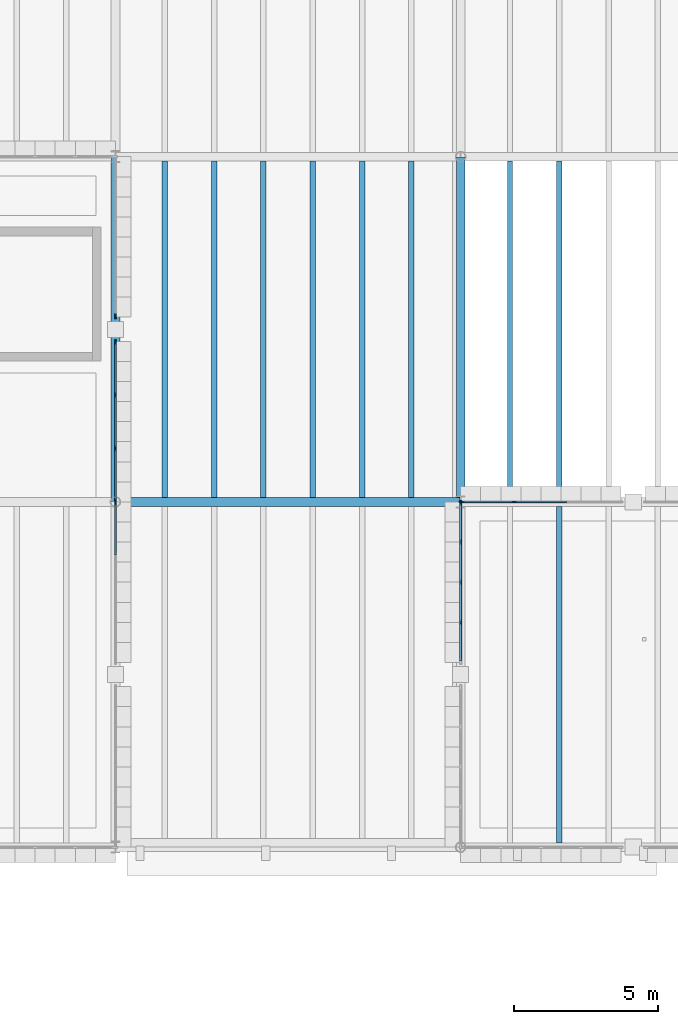
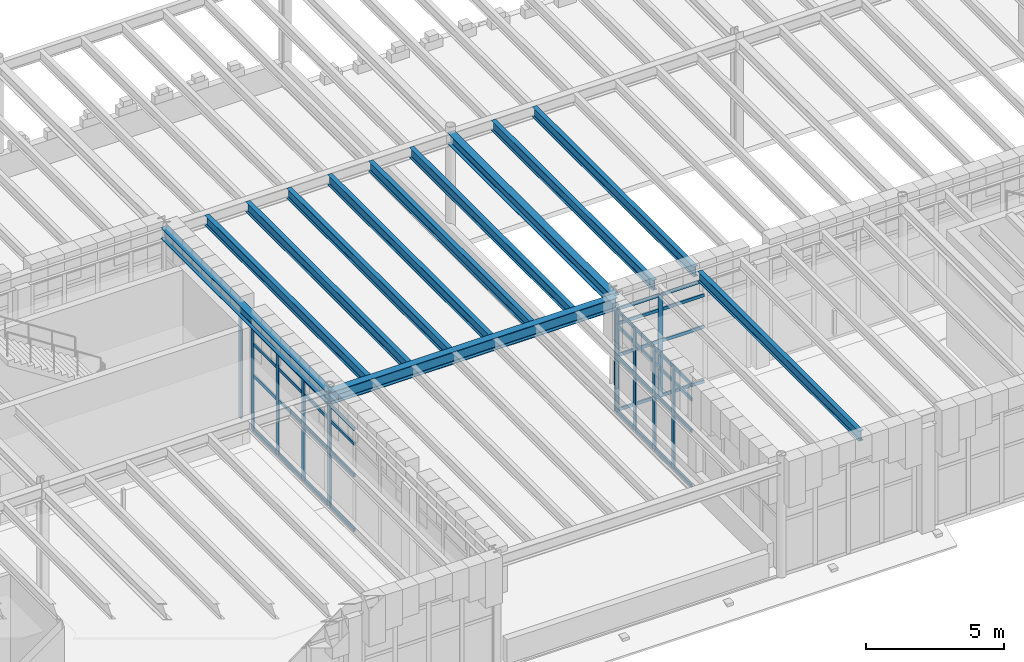
# One storey, part 23 of 100: 52 members, 12 beams, 5 elements without a shape of their own.
"""IFC4 building model written with IfcOpenShell, lengths in metres."""

from ifc_helpers import new_model, si_unit, direction, frame, origin, origin_2d, place, context, subcontext, project, spatial, rectangle, i_section, extrude, material, layer, layer_set, material_profile, profile_set, type_object, element, aggregate, save


model = new_model("IFC4")

# Units and contexts
model_context = context("Model", 3, precision=1e-05, world=origin(), true_north=direction((0.0, 1.0)))
body_context = subcontext(model_context, "Body", "Model", "MODEL_VIEW")
ifc_project = project(units=[si_unit("LENGTHUNIT", "METRE"), si_unit("AREAUNIT", "SQUARE_METRE"), si_unit("VOLUMEUNIT", "CUBIC_METRE"), si_unit("PLANEANGLEUNIT", "RADIAN"), si_unit("MASSUNIT", "GRAM", prefix="KILO")], contexts=[model_context])

# Site, building, storey
site_placement = place(None, origin())
site = spatial("IfcSite", under=ifc_project, at=site_placement, CompositionType="ELEMENT")
building_placement = place(site_placement, origin())
building = spatial("IfcBuilding", under=site, at=building_placement, Name="Zlatogorsky Bluff Art Gallery", CompositionType="ELEMENT")
storey_placement = place(building_placement, frame((0.0, 0.0, 5.39990234375)))
storey = spatial("IfcBuildingStorey", under=building, at=storey_placement, Name="L01", CompositionType="ELEMENT", Elevation=5.39990234375)

# Beams
ifc_material_1 = material(Name="Steel S355", Category="steel")
ifc_material_profile_1 = material_profile(ifc_material_1, i_section(OverallWidth=0.300048828125, OverallDepth=0.5400390625, WebThickness=0.012451171875, FlangeThickness=0.02392578125, FilletRadius=0.027099609375, at=origin_2d()), Name="HEA 550")
ifc_profile_set_1 = profile_set([ifc_material_profile_1], Name="Steel S355")
beam_type_1 = type_object("IfcBeamType", Name="Beam BM-06 HEA 550", PredefinedType="BEAM", material=ifc_profile_set_1)
beam_placement = place(storey_placement, frame((48.014892578125, 96.0, 4.840087890625), z_axis=(1.0, 0.0, 0.0), x_axis=(0.0, 1.0, 0.0)))
element("IfcBeam", 1, at=beam_placement, inside=storey, type_object=beam_type_1, Name="Primary girder BM-06 L01 E-F/10", PredefinedType="BEAM", context=body_context, shape_type="SweptSolid", body=[
    extrude(i_section(OverallWidth=0.300048828125, OverallDepth=0.5400390625, WebThickness=0.012451171875, FlangeThickness=0.02392578125, FilletRadius=0.027099609375, at=origin_2d()), origin(), (0.0, 0.0, 1.0), 11.97021484375),
])
ifc_material_profile_2 = material_profile(ifc_material_1, i_section(OverallWidth=0.300048828125, OverallDepth=0.489990234375, WebThickness=0.011962890625, FlangeThickness=0.02294921875, FilletRadius=0.027099609375, at=origin_2d()), Name="HEA 500")
ifc_profile_set_2 = profile_set([ifc_material_profile_2], Name="Steel S355")
beam_type_2 = type_object("IfcBeamType", Name="Beam BM-07 HEA 500", PredefinedType="BEAM", material=ifc_profile_set_2)
for number, where, z_axis, x_axis, name in (
    (2, (48.0, 96.014892578125, 4.864990234375), (0.0, 1.0, 0.0), (-1.0, 0.0, 0.0), "Primary girder BM-07 L01 E/10-11"),
    (3, (60.0, 96.014892578125, 4.864990234375), (0.0, 1.0, 0.0), (-1.0, 0.0, 0.0), "Primary girder BM-07 L01 F/10-11"),
):
    element("IfcBeam", number, at=place(storey_placement, frame(where, z_axis=z_axis, x_axis=x_axis)), inside=storey, type_object=beam_type_2, Name=name, PredefinedType="BEAM", context=body_context, shape_type="SweptSolid", body=[
        extrude(i_section(OverallWidth=0.300048828125, OverallDepth=0.489990234375, WebThickness=0.011962890625, FlangeThickness=0.02294921875, FilletRadius=0.027099609375, at=origin_2d()), origin(), (0.0, 0.0, 1.0), 11.97021484375),
    ])
ifc_material_profile_3 = material_profile(ifc_material_1, i_section(OverallWidth=0.18994140625, OverallDepth=0.449951171875, WebThickness=0.009521484375, FlangeThickness=0.0146484375, FilletRadius=0.02099609375, at=origin_2d()), Name="IPE 450")
ifc_profile_set_3 = profile_set([ifc_material_profile_3], Name="Steel S355")
beam_type_3 = type_object("IfcBeamType", Name="Beam JS-06 IPE 450", PredefinedType="JOIST", material=ifc_profile_set_3)
for number, where, z_axis, x_axis, name in (
    (4, (49.71435546875, 96.14990234375, 4.885009765625), (0.0, 1.0, 0.0), (-1.0, 0.0, 0.0), "Composite floor joist JS-06 L01 04.09.1"),
    (5, (51.428466796875, 96.14990234375, 4.885009765625), (0.0, 1.0, 0.0), (-1.0, 0.0, 0.0), "Composite floor joist JS-06 L01 04.09.2"),
    (6, (53.142822265625, 96.14990234375, 4.885009765625), (0.0, 1.0, 0.0), (-1.0, 0.0, 0.0), "Composite floor joist JS-06 L01 04.09.3"),
    (7, (54.857177734375, 96.14990234375, 4.885009765625), (0.0, 1.0, 0.0), (-1.0, 0.0, 0.0), "Composite floor joist JS-06 L01 04.09.4"),
    (8, (56.571533203125, 96.14990234375, 4.885009765625), (0.0, 1.0, 0.0), (-1.0, 0.0, 0.0), "Composite floor joist JS-06 L01 04.09.5"),
    (9, (58.28564453125, 96.14990234375, 4.885009765625), (0.0, 1.0, 0.0), (-1.0, 0.0, 0.0), "Composite floor joist JS-06 L01 04.09.6"),
    (10, (63.428466796875, 84.14990234375, 4.885009765625), (0.0, 1.0, 0.0), (-1.0, 0.0, 0.0), "Composite floor joist JS-06 L01 05.08.2"),
    (11, (61.71435546875, 96.14990234375, 4.885009765625), (0.0, 1.0, 0.0), (-1.0, 0.0, 0.0), "Composite floor joist JS-06 L01 05.09.1"),
    (12, (63.428466796875, 96.14990234375, 4.885009765625), (0.0, 1.0, 0.0), (-1.0, 0.0, 0.0), "Composite floor joist JS-06 L01 05.09.2"),
):
    element("IfcBeam", number, at=place(storey_placement, frame(where, z_axis=z_axis, x_axis=x_axis)), inside=storey, type_object=beam_type_3, Name=name, PredefinedType="JOIST", context=body_context, shape_type="SweptSolid", body=[
        extrude(i_section(OverallWidth=0.18994140625, OverallDepth=0.449951171875, WebThickness=0.009521484375, FlangeThickness=0.0146484375, FilletRadius=0.02099609375, at=origin_2d()), origin(), (0.0, 0.0, 1.0), 11.7001953125),
    ])

# Curtain wall, member
ifc_material_2 = material(Name="Anodised Bronze Aluminium and Low-Iron Triple Glazing", Category="aluminium")
ifc_layer_1 = layer(ifc_material_2, 0.219970703125)
ifc_layer_set_1 = layer_set([ifc_layer_1], Name="Curtain Wall CW-04")
curtain_wall_type_1 = type_object("IfcCurtainWallType", Name="Curtain Wall CW-04", PredefinedType="USERDEFINED", material=ifc_layer_set_1)
curtain_wall_1_placement = place(storey_placement, origin())
curtain_wall_1 = element("IfcCurtainWall", 13, at=curtain_wall_1_placement, inside=storey, type_object=curtain_wall_type_1, Name="Unitised curtain wall CW-04 L01 E 3.8-B", ObjectType="CURTAIN WALL", PredefinedType="USERDEFINED")
ifc_material_3 = material(Name="Anodised Bronze Aluminium", Category="aluminium")
ifc_material_profile_4 = material_profile(ifc_material_3, rectangle(XDim=0.06494140625, YDim=0.179931640625, at=origin_2d()), Name="ALU MULLION 65x180")
ifc_profile_set_4 = profile_set([ifc_material_profile_4], Name="Anodised Bronze Aluminium")
member_type_1 = type_object("IfcMemberType", Name="Curtain Mullion ML-01", PredefinedType="MULLION", material=ifc_profile_set_4)
member_1_placement = place(storey_placement, frame((48.0, 95.967529296875, 0.0), z_axis=(0.0, 0.0, 1.0), x_axis=(-1.0, 0.0, 0.0)))
member_1 = element("IfcMember", 14, at=member_1_placement, type_object=member_type_1, Name="CW-04 mullion 4", PredefinedType="MULLION", context=body_context, shape_type="SweptSolid", body=[
    extrude(rectangle(XDim=0.06494140625, YDim=0.179931640625, at=origin_2d()), origin(), (0.0, 0.0, 1.0), 4.530029296875),
])

# Curtain wall, members
curtain_wall_2_placement = place(storey_placement, origin())
curtain_wall_2 = element("IfcCurtainWall", 15, at=curtain_wall_2_placement, inside=storey, type_object=curtain_wall_type_1, Name="Unitised curtain wall CW-04 L01 E 3.9-A", ObjectType="CURTAIN WALL", PredefinedType="USERDEFINED")
member_2_placement = place(storey_placement, frame((48.0, 96.032470703125, 0.0), z_axis=(0.0, 0.0, 1.0), x_axis=(-1.0, 0.0, 0.0)))
member_2 = element("IfcMember", 16, at=member_2_placement, type_object=member_type_1, Name="CW-04 mullion 1", PredefinedType="MULLION", context=body_context, shape_type="SweptSolid", body=[
    extrude(rectangle(XDim=0.06494140625, YDim=0.179931640625, at=origin_2d()), origin(), (0.0, 0.0, 1.0), 4.530029296875),
])
member_3_placement = place(storey_placement, frame((48.0, 97.860107421875, 0.0), z_axis=(0.0, 0.0, 1.0), x_axis=(-1.0, 0.0, 0.0)))
member_3 = element("IfcMember", 17, at=member_3_placement, type_object=member_type_1, Name="CW-04 mullion 2", PredefinedType="MULLION", context=body_context, shape_type="SweptSolid", body=[
    extrude(rectangle(XDim=0.06494140625, YDim=0.179931640625, at=origin_2d()), origin(), (0.0, 0.0, 1.0), 4.530029296875),
])
member_4_placement = place(storey_placement, frame((48.0, 99.719970703125, 0.0), z_axis=(0.0, 0.0, 1.0), x_axis=(-1.0, 0.0, 0.0)))
member_4 = element("IfcMember", 18, at=member_4_placement, type_object=member_type_1, Name="CW-04 mullion 3", PredefinedType="MULLION", context=body_context, shape_type="SweptSolid", body=[
    extrude(rectangle(XDim=0.06494140625, YDim=0.179931640625, at=origin_2d()), origin(), (0.0, 0.0, 1.0), 4.530029296875),
])
member_5_placement = place(storey_placement, frame((48.0, 101.547607421875, 0.0), z_axis=(0.0, 0.0, 1.0), x_axis=(-1.0, 0.0, 0.0)))
member_5 = element("IfcMember", 19, at=member_5_placement, type_object=member_type_1, Name="CW-04 mullion 4", PredefinedType="MULLION", context=body_context, shape_type="SweptSolid", body=[
    extrude(rectangle(XDim=0.06494140625, YDim=0.179931640625, at=origin_2d()), origin(), (0.0, 0.0, 1.0), 4.530029296875),
])

# Curtain wall, member
curtain_wall_3_placement = place(storey_placement, origin())
curtain_wall_3 = element("IfcCurtainWall", 20, at=curtain_wall_3_placement, inside=storey, type_object=curtain_wall_type_1, Name="Unitised curtain wall CW-04 L01 E 3.9-B", ObjectType="CURTAIN WALL", PredefinedType="USERDEFINED")
member_6_placement = place(storey_placement, frame((48.0, 102.452392578125, 0.0), z_axis=(0.0, 0.0, 1.0), x_axis=(-1.0, 0.0, 0.0)))
member_6 = element("IfcMember", 21, at=member_6_placement, type_object=member_type_1, Name="CW-04 mullion 1", PredefinedType="MULLION", context=body_context, shape_type="SweptSolid", body=[
    extrude(rectangle(XDim=0.06494140625, YDim=0.179931640625, at=origin_2d()), origin(), (0.0, 0.0, 1.0), 4.530029296875),
])
aggregate(curtain_wall_3, [member_6])

# Curtain wall, members
curtain_wall_4_placement = place(storey_placement, origin())
curtain_wall_4 = element("IfcCurtainWall", 22, at=curtain_wall_4_placement, inside=storey, type_object=curtain_wall_type_1, Name="Unitised curtain wall CW-04 L01 N 5.8-B", ObjectType="CURTAIN WALL", PredefinedType="USERDEFINED")
member_7_placement = place(storey_placement, frame((61.860107421875, 96.0, 0.0), z_axis=(0.0, 0.0, 1.0), x_axis=(0.0, -1.0, 0.0)))
member_7 = element("IfcMember", 23, at=member_7_placement, type_object=member_type_1, Name="CW-04 mullion 3", PredefinedType="MULLION", context=body_context, shape_type="SweptSolid", body=[
    extrude(rectangle(XDim=0.06494140625, YDim=0.179931640625, at=origin_2d()), origin(), (0.0, 0.0, 1.0), 4.530029296875),
])
member_8_placement = place(storey_placement, frame((60.032470703125, 96.0, 0.0), z_axis=(0.0, 0.0, 1.0), x_axis=(0.0, -1.0, 0.0)))
member_8 = element("IfcMember", 24, at=member_8_placement, type_object=member_type_1, Name="CW-04 mullion 4", PredefinedType="MULLION", context=body_context, shape_type="SweptSolid", body=[
    extrude(rectangle(XDim=0.06494140625, YDim=0.179931640625, at=origin_2d()), origin(), (0.0, 0.0, 1.0), 4.530029296875),
])

ifc_layer_2 = layer(ifc_material_2, 0.199951171875)
ifc_layer_set_2 = layer_set([ifc_layer_2], Name="Curtain Wall CW-02")
curtain_wall_type_2 = type_object("IfcCurtainWallType", Name="Curtain Wall CW-02", PredefinedType="USERDEFINED", material=ifc_layer_set_2)
curtain_wall_5_placement = place(storey_placement, origin())
curtain_wall_5 = element("IfcCurtainWall", 25, at=curtain_wall_5_placement, inside=storey, type_object=curtain_wall_type_2, Name="Unitised curtain wall CW-02 L01 W 5.8-A", ObjectType="CURTAIN WALL", PredefinedType="USERDEFINED")
member_9_placement = place(storey_placement, frame((60.0, 95.967529296875, 0.0), z_axis=(0.0, 0.0, 1.0), x_axis=(1.0, 0.0, 0.0)))
member_9 = element("IfcMember", 26, at=member_9_placement, type_object=member_type_1, Name="CW-02 mullion 1", PredefinedType="MULLION", context=body_context, shape_type="SweptSolid", body=[
    extrude(rectangle(XDim=0.06494140625, YDim=0.179931640625, at=origin_2d()), origin(), (0.0, 0.0, 1.0), 4.530029296875),
])
member_10_placement = place(storey_placement, frame((60.0, 94.60498046875, 0.0), z_axis=(0.0, 0.0, 1.0), x_axis=(1.0, 0.0, 0.0)))
member_10 = element("IfcMember", 27, at=member_10_placement, type_object=member_type_1, Name="CW-02 mullion 2", PredefinedType="MULLION", context=body_context, shape_type="SweptSolid", body=[
    extrude(rectangle(XDim=0.06494140625, YDim=0.179931640625, at=origin_2d()), origin(), (0.0, 0.0, 1.0), 4.530029296875),
])
member_11_placement = place(storey_placement, frame((60.0, 93.2099609375, 0.0), z_axis=(0.0, 0.0, 1.0), x_axis=(1.0, 0.0, 0.0)))
member_11 = element("IfcMember", 28, at=member_11_placement, type_object=member_type_1, Name="CW-02 mullion 3", PredefinedType="MULLION", context=body_context, shape_type="SweptSolid", body=[
    extrude(rectangle(XDim=0.06494140625, YDim=0.179931640625, at=origin_2d()), origin(), (0.0, 0.0, 1.0), 4.530029296875),
])
member_12_placement = place(storey_placement, frame((60.0, 91.81494140625, 0.0), z_axis=(0.0, 0.0, 1.0), x_axis=(1.0, 0.0, 0.0)))
member_12 = element("IfcMember", 29, at=member_12_placement, type_object=member_type_1, Name="CW-02 mullion 4", PredefinedType="MULLION", context=body_context, shape_type="SweptSolid", body=[
    extrude(rectangle(XDim=0.06494140625, YDim=0.179931640625, at=origin_2d()), origin(), (0.0, 0.0, 1.0), 4.530029296875),
])

# Member
ifc_material_profile_5 = material_profile(ifc_material_3, rectangle(XDim=0.06494140625, YDim=0.139892578125, at=origin_2d()), Name="ALU TRANSOM 65x140")
ifc_profile_set_5 = profile_set([ifc_material_profile_5], Name="Anodised Bronze Aluminium")
member_type_2 = type_object("IfcMemberType", Name="Curtain Transom TR-01", PredefinedType="USERDEFINED", material=ifc_profile_set_5)
member_13_placement = place(storey_placement, frame((48.0, 94.172607421875, 0.03271484375), z_axis=(0.0, 1.0, 0.0), x_axis=(-1.0, 0.0, 0.0)))
member_13 = element("IfcMember", 30, at=member_13_placement, type_object=member_type_2, Name="CW-04 transom 3.1", ObjectType="TRANSOM", PredefinedType="USERDEFINED", context=body_context, shape_type="SweptSolid", body=[
    extrude(rectangle(XDim=0.06494140625, YDim=0.139892578125, at=origin_2d()), origin(), (0.0, 0.0, 1.0), 1.762451171875),
])

member_14_placement = place(storey_placement, frame((48.0, 94.172607421875, 2.4501953125), z_axis=(0.0, 1.0, 0.0), x_axis=(-1.0, 0.0, 0.0)))
member_14 = element("IfcMember", 31, at=member_14_placement, type_object=member_type_2, Name="CW-04 transom 3.2", ObjectType="TRANSOM", PredefinedType="USERDEFINED", context=body_context, shape_type="SweptSolid", body=[
    extrude(rectangle(XDim=0.06494140625, YDim=0.139892578125, at=origin_2d()), origin(), (0.0, 0.0, 1.0), 1.762451171875),
])

member_15_placement = place(storey_placement, frame((48.0, 94.172607421875, 3.85009765625), z_axis=(0.0, 1.0, 0.0), x_axis=(-1.0, 0.0, 0.0)))
member_15 = element("IfcMember", 32, at=member_15_placement, type_object=member_type_2, Name="CW-04 transom 3.3", ObjectType="TRANSOM", PredefinedType="USERDEFINED", context=body_context, shape_type="SweptSolid", body=[
    extrude(rectangle(XDim=0.06494140625, YDim=0.139892578125, at=origin_2d()), origin(), (0.0, 0.0, 1.0), 1.762451171875),
])

member_16_placement = place(storey_placement, frame((48.0, 94.172607421875, 4.49755859375), z_axis=(0.0, 1.0, 0.0), x_axis=(-1.0, 0.0, 0.0)))
member_16 = element("IfcMember", 33, at=member_16_placement, type_object=member_type_2, Name="CW-04 transom 3.4", ObjectType="TRANSOM", PredefinedType="USERDEFINED", context=body_context, shape_type="SweptSolid", body=[
    extrude(rectangle(XDim=0.06494140625, YDim=0.139892578125, at=origin_2d()), origin(), (0.0, 0.0, 1.0), 1.762451171875),
])

aggregate(curtain_wall_1, [member_1, member_13, member_14, member_15, member_16])

member_17_placement = place(storey_placement, frame((48.0, 96.06494140625, 0.03271484375), z_axis=(0.0, 1.0, 0.0), x_axis=(-1.0, 0.0, 0.0)))
member_17 = element("IfcMember", 34, at=member_17_placement, type_object=member_type_2, Name="CW-04 transom 1.1", ObjectType="TRANSOM", PredefinedType="USERDEFINED", context=body_context, shape_type="SweptSolid", body=[
    extrude(rectangle(XDim=0.06494140625, YDim=0.139892578125, at=origin_2d()), origin(), (0.0, 0.0, 1.0), 1.762451171875),
])

member_18_placement = place(storey_placement, frame((48.0, 96.06494140625, 2.4501953125), z_axis=(0.0, 1.0, 0.0), x_axis=(-1.0, 0.0, 0.0)))
member_18 = element("IfcMember", 35, at=member_18_placement, type_object=member_type_2, Name="CW-04 transom 1.2", ObjectType="TRANSOM", PredefinedType="USERDEFINED", context=body_context, shape_type="SweptSolid", body=[
    extrude(rectangle(XDim=0.06494140625, YDim=0.139892578125, at=origin_2d()), origin(), (0.0, 0.0, 1.0), 1.762451171875),
])

member_19_placement = place(storey_placement, frame((48.0, 96.06494140625, 3.85009765625), z_axis=(0.0, 1.0, 0.0), x_axis=(-1.0, 0.0, 0.0)))
member_19 = element("IfcMember", 36, at=member_19_placement, type_object=member_type_2, Name="CW-04 transom 1.3", ObjectType="TRANSOM", PredefinedType="USERDEFINED", context=body_context, shape_type="SweptSolid", body=[
    extrude(rectangle(XDim=0.06494140625, YDim=0.139892578125, at=origin_2d()), origin(), (0.0, 0.0, 1.0), 1.762451171875),
])

member_20_placement = place(storey_placement, frame((48.0, 96.06494140625, 4.49755859375), z_axis=(0.0, 1.0, 0.0), x_axis=(-1.0, 0.0, 0.0)))
member_20 = element("IfcMember", 37, at=member_20_placement, type_object=member_type_2, Name="CW-04 transom 1.4", ObjectType="TRANSOM", PredefinedType="USERDEFINED", context=body_context, shape_type="SweptSolid", body=[
    extrude(rectangle(XDim=0.06494140625, YDim=0.139892578125, at=origin_2d()), origin(), (0.0, 0.0, 1.0), 1.762451171875),
])

member_21_placement = place(storey_placement, frame((48.0, 97.892578125, 0.03271484375), z_axis=(0.0, 1.0, 0.0), x_axis=(-1.0, 0.0, 0.0)))
member_21 = element("IfcMember", 38, at=member_21_placement, type_object=member_type_2, Name="CW-04 transom 2.1", ObjectType="TRANSOM", PredefinedType="USERDEFINED", context=body_context, shape_type="SweptSolid", body=[
    extrude(rectangle(XDim=0.06494140625, YDim=0.139892578125, at=origin_2d()), origin(), (0.0, 0.0, 1.0), 1.794921875),
])

member_22_placement = place(storey_placement, frame((48.0, 97.892578125, 2.4501953125), z_axis=(0.0, 1.0, 0.0), x_axis=(-1.0, 0.0, 0.0)))
member_22 = element("IfcMember", 39, at=member_22_placement, type_object=member_type_2, Name="CW-04 transom 2.2", ObjectType="TRANSOM", PredefinedType="USERDEFINED", context=body_context, shape_type="SweptSolid", body=[
    extrude(rectangle(XDim=0.06494140625, YDim=0.139892578125, at=origin_2d()), origin(), (0.0, 0.0, 1.0), 1.794921875),
])

member_23_placement = place(storey_placement, frame((48.0, 97.892578125, 3.85009765625), z_axis=(0.0, 1.0, 0.0), x_axis=(-1.0, 0.0, 0.0)))
member_23 = element("IfcMember", 40, at=member_23_placement, type_object=member_type_2, Name="CW-04 transom 2.3", ObjectType="TRANSOM", PredefinedType="USERDEFINED", context=body_context, shape_type="SweptSolid", body=[
    extrude(rectangle(XDim=0.06494140625, YDim=0.139892578125, at=origin_2d()), origin(), (0.0, 0.0, 1.0), 1.794921875),
])

member_24_placement = place(storey_placement, frame((48.0, 97.892578125, 4.49755859375), z_axis=(0.0, 1.0, 0.0), x_axis=(-1.0, 0.0, 0.0)))
member_24 = element("IfcMember", 41, at=member_24_placement, type_object=member_type_2, Name="CW-04 transom 2.4", ObjectType="TRANSOM", PredefinedType="USERDEFINED", context=body_context, shape_type="SweptSolid", body=[
    extrude(rectangle(XDim=0.06494140625, YDim=0.139892578125, at=origin_2d()), origin(), (0.0, 0.0, 1.0), 1.794921875),
])

member_25_placement = place(storey_placement, frame((48.0, 99.75244140625, 0.03271484375), z_axis=(0.0, 1.0, 0.0), x_axis=(-1.0, 0.0, 0.0)))
member_25 = element("IfcMember", 42, at=member_25_placement, type_object=member_type_2, Name="CW-04 transom 3.1", ObjectType="TRANSOM", PredefinedType="USERDEFINED", context=body_context, shape_type="SweptSolid", body=[
    extrude(rectangle(XDim=0.06494140625, YDim=0.139892578125, at=origin_2d()), origin(), (0.0, 0.0, 1.0), 1.762451171875),
])

member_26_placement = place(storey_placement, frame((48.0, 99.75244140625, 2.4501953125), z_axis=(0.0, 1.0, 0.0), x_axis=(-1.0, 0.0, 0.0)))
member_26 = element("IfcMember", 43, at=member_26_placement, type_object=member_type_2, Name="CW-04 transom 3.2", ObjectType="TRANSOM", PredefinedType="USERDEFINED", context=body_context, shape_type="SweptSolid", body=[
    extrude(rectangle(XDim=0.06494140625, YDim=0.139892578125, at=origin_2d()), origin(), (0.0, 0.0, 1.0), 1.762451171875),
])

member_27_placement = place(storey_placement, frame((48.0, 99.75244140625, 3.85009765625), z_axis=(0.0, 1.0, 0.0), x_axis=(-1.0, 0.0, 0.0)))
member_27 = element("IfcMember", 44, at=member_27_placement, type_object=member_type_2, Name="CW-04 transom 3.3", ObjectType="TRANSOM", PredefinedType="USERDEFINED", context=body_context, shape_type="SweptSolid", body=[
    extrude(rectangle(XDim=0.06494140625, YDim=0.139892578125, at=origin_2d()), origin(), (0.0, 0.0, 1.0), 1.762451171875),
])

member_28_placement = place(storey_placement, frame((48.0, 99.75244140625, 4.49755859375), z_axis=(0.0, 1.0, 0.0), x_axis=(-1.0, 0.0, 0.0)))
member_28 = element("IfcMember", 45, at=member_28_placement, type_object=member_type_2, Name="CW-04 transom 3.4", ObjectType="TRANSOM", PredefinedType="USERDEFINED", context=body_context, shape_type="SweptSolid", body=[
    extrude(rectangle(XDim=0.06494140625, YDim=0.139892578125, at=origin_2d()), origin(), (0.0, 0.0, 1.0), 1.762451171875),
])

aggregate(curtain_wall_2, [member_2, member_3, member_4, member_5, member_17, member_18, member_19, member_20, member_21, member_22, member_23, member_24, member_25, member_26, member_27, member_28])

member_29_placement = place(storey_placement, frame((63.6875, 96.0, 0.03271484375), z_axis=(-1.0, 0.0, 0.0), x_axis=(0.0, -1.0, 0.0)))
member_29 = element("IfcMember", 46, at=member_29_placement, type_object=member_type_2, Name="CW-04 transom 2.1", ObjectType="TRANSOM", PredefinedType="USERDEFINED", context=body_context, shape_type="SweptSolid", body=[
    extrude(rectangle(XDim=0.06494140625, YDim=0.139892578125, at=origin_2d()), origin(), (0.0, 0.0, 1.0), 1.794921875),
])

member_30_placement = place(storey_placement, frame((63.6875, 96.0, 2.4501953125), z_axis=(-1.0, 0.0, 0.0), x_axis=(0.0, -1.0, 0.0)))
member_30 = element("IfcMember", 47, at=member_30_placement, type_object=member_type_2, Name="CW-04 transom 2.2", ObjectType="TRANSOM", PredefinedType="USERDEFINED", context=body_context, shape_type="SweptSolid", body=[
    extrude(rectangle(XDim=0.06494140625, YDim=0.139892578125, at=origin_2d()), origin(), (0.0, 0.0, 1.0), 1.794921875),
])

member_31_placement = place(storey_placement, frame((63.6875, 96.0, 3.85009765625), z_axis=(-1.0, 0.0, 0.0), x_axis=(0.0, -1.0, 0.0)))
member_31 = element("IfcMember", 48, at=member_31_placement, type_object=member_type_2, Name="CW-04 transom 2.3", ObjectType="TRANSOM", PredefinedType="USERDEFINED", context=body_context, shape_type="SweptSolid", body=[
    extrude(rectangle(XDim=0.06494140625, YDim=0.139892578125, at=origin_2d()), origin(), (0.0, 0.0, 1.0), 1.794921875),
])

member_32_placement = place(storey_placement, frame((63.6875, 96.0, 4.49755859375), z_axis=(-1.0, 0.0, 0.0), x_axis=(0.0, -1.0, 0.0)))
member_32 = element("IfcMember", 49, at=member_32_placement, type_object=member_type_2, Name="CW-04 transom 2.4", ObjectType="TRANSOM", PredefinedType="USERDEFINED", context=body_context, shape_type="SweptSolid", body=[
    extrude(rectangle(XDim=0.06494140625, YDim=0.139892578125, at=origin_2d()), origin(), (0.0, 0.0, 1.0), 1.794921875),
])

member_33_placement = place(storey_placement, frame((61.827392578125, 96.0, 0.03271484375), z_axis=(-1.0, 0.0, 0.0), x_axis=(0.0, -1.0, 0.0)))
member_33 = element("IfcMember", 50, at=member_33_placement, type_object=member_type_2, Name="CW-04 transom 3.1", ObjectType="TRANSOM", PredefinedType="USERDEFINED", context=body_context, shape_type="SweptSolid", body=[
    extrude(rectangle(XDim=0.06494140625, YDim=0.139892578125, at=origin_2d()), origin(), (0.0, 0.0, 1.0), 1.762451171875),
])

member_34_placement = place(storey_placement, frame((61.827392578125, 96.0, 2.4501953125), z_axis=(-1.0, 0.0, 0.0), x_axis=(0.0, -1.0, 0.0)))
member_34 = element("IfcMember", 51, at=member_34_placement, type_object=member_type_2, Name="CW-04 transom 3.2", ObjectType="TRANSOM", PredefinedType="USERDEFINED", context=body_context, shape_type="SweptSolid", body=[
    extrude(rectangle(XDim=0.06494140625, YDim=0.139892578125, at=origin_2d()), origin(), (0.0, 0.0, 1.0), 1.762451171875),
])

member_35_placement = place(storey_placement, frame((61.827392578125, 96.0, 3.85009765625), z_axis=(-1.0, 0.0, 0.0), x_axis=(0.0, -1.0, 0.0)))
member_35 = element("IfcMember", 52, at=member_35_placement, type_object=member_type_2, Name="CW-04 transom 3.3", ObjectType="TRANSOM", PredefinedType="USERDEFINED", context=body_context, shape_type="SweptSolid", body=[
    extrude(rectangle(XDim=0.06494140625, YDim=0.139892578125, at=origin_2d()), origin(), (0.0, 0.0, 1.0), 1.762451171875),
])

member_36_placement = place(storey_placement, frame((61.827392578125, 96.0, 4.49755859375), z_axis=(-1.0, 0.0, 0.0), x_axis=(0.0, -1.0, 0.0)))
member_36 = element("IfcMember", 53, at=member_36_placement, type_object=member_type_2, Name="CW-04 transom 3.4", ObjectType="TRANSOM", PredefinedType="USERDEFINED", context=body_context, shape_type="SweptSolid", body=[
    extrude(rectangle(XDim=0.06494140625, YDim=0.139892578125, at=origin_2d()), origin(), (0.0, 0.0, 1.0), 1.762451171875),
])

aggregate(curtain_wall_4, [member_7, member_8, member_29, member_30, member_31, member_32, member_33, member_34, member_35, member_36])

member_37_placement = place(storey_placement, frame((60.0, 95.93505859375, 0.03271484375), z_axis=(0.0, -1.0, 0.0), x_axis=(1.0, 0.0, 0.0)))
member_37 = element("IfcMember", 54, at=member_37_placement, type_object=member_type_2, Name="CW-02 transom 1.1", ObjectType="TRANSOM", PredefinedType="USERDEFINED", context=body_context, shape_type="SweptSolid", body=[
    extrude(rectangle(XDim=0.06494140625, YDim=0.139892578125, at=origin_2d()), origin(), (0.0, 0.0, 1.0), 1.297607421875),
])

member_38_placement = place(storey_placement, frame((60.0, 95.93505859375, 2.4501953125), z_axis=(0.0, -1.0, 0.0), x_axis=(1.0, 0.0, 0.0)))
member_38 = element("IfcMember", 55, at=member_38_placement, type_object=member_type_2, Name="CW-02 transom 1.2", ObjectType="TRANSOM", PredefinedType="USERDEFINED", context=body_context, shape_type="SweptSolid", body=[
    extrude(rectangle(XDim=0.06494140625, YDim=0.139892578125, at=origin_2d()), origin(), (0.0, 0.0, 1.0), 1.297607421875),
])

member_39_placement = place(storey_placement, frame((60.0, 95.93505859375, 3.85009765625), z_axis=(0.0, -1.0, 0.0), x_axis=(1.0, 0.0, 0.0)))
member_39 = element("IfcMember", 56, at=member_39_placement, type_object=member_type_2, Name="CW-02 transom 1.3", ObjectType="TRANSOM", PredefinedType="USERDEFINED", context=body_context, shape_type="SweptSolid", body=[
    extrude(rectangle(XDim=0.06494140625, YDim=0.139892578125, at=origin_2d()), origin(), (0.0, 0.0, 1.0), 1.297607421875),
])

member_40_placement = place(storey_placement, frame((60.0, 95.93505859375, 4.49755859375), z_axis=(0.0, -1.0, 0.0), x_axis=(1.0, 0.0, 0.0)))
member_40 = element("IfcMember", 57, at=member_40_placement, type_object=member_type_2, Name="CW-02 transom 1.4", ObjectType="TRANSOM", PredefinedType="USERDEFINED", context=body_context, shape_type="SweptSolid", body=[
    extrude(rectangle(XDim=0.06494140625, YDim=0.139892578125, at=origin_2d()), origin(), (0.0, 0.0, 1.0), 1.297607421875),
])

member_41_placement = place(storey_placement, frame((60.0, 94.572509765625, 0.03271484375), z_axis=(0.0, -1.0, 0.0), x_axis=(1.0, 0.0, 0.0)))
member_41 = element("IfcMember", 58, at=member_41_placement, type_object=member_type_2, Name="CW-02 transom 2.1", ObjectType="TRANSOM", PredefinedType="USERDEFINED", context=body_context, shape_type="SweptSolid", body=[
    extrude(rectangle(XDim=0.06494140625, YDim=0.139892578125, at=origin_2d()), origin(), (0.0, 0.0, 1.0), 1.330078125),
])

member_42_placement = place(storey_placement, frame((60.0, 94.572509765625, 2.4501953125), z_axis=(0.0, -1.0, 0.0), x_axis=(1.0, 0.0, 0.0)))
member_42 = element("IfcMember", 59, at=member_42_placement, type_object=member_type_2, Name="CW-02 transom 2.2", ObjectType="TRANSOM", PredefinedType="USERDEFINED", context=body_context, shape_type="SweptSolid", body=[
    extrude(rectangle(XDim=0.06494140625, YDim=0.139892578125, at=origin_2d()), origin(), (0.0, 0.0, 1.0), 1.330078125),
])

member_43_placement = place(storey_placement, frame((60.0, 94.572509765625, 3.85009765625), z_axis=(0.0, -1.0, 0.0), x_axis=(1.0, 0.0, 0.0)))
member_43 = element("IfcMember", 60, at=member_43_placement, type_object=member_type_2, Name="CW-02 transom 2.3", ObjectType="TRANSOM", PredefinedType="USERDEFINED", context=body_context, shape_type="SweptSolid", body=[
    extrude(rectangle(XDim=0.06494140625, YDim=0.139892578125, at=origin_2d()), origin(), (0.0, 0.0, 1.0), 1.330078125),
])

member_44_placement = place(storey_placement, frame((60.0, 94.572509765625, 4.49755859375), z_axis=(0.0, -1.0, 0.0), x_axis=(1.0, 0.0, 0.0)))
member_44 = element("IfcMember", 61, at=member_44_placement, type_object=member_type_2, Name="CW-02 transom 2.4", ObjectType="TRANSOM", PredefinedType="USERDEFINED", context=body_context, shape_type="SweptSolid", body=[
    extrude(rectangle(XDim=0.06494140625, YDim=0.139892578125, at=origin_2d()), origin(), (0.0, 0.0, 1.0), 1.330078125),
])

member_45_placement = place(storey_placement, frame((60.0, 93.177490234375, 0.03271484375), z_axis=(0.0, -1.0, 0.0), x_axis=(1.0, 0.0, 0.0)))
member_45 = element("IfcMember", 62, at=member_45_placement, type_object=member_type_2, Name="CW-02 transom 3.1", ObjectType="TRANSOM", PredefinedType="USERDEFINED", context=body_context, shape_type="SweptSolid", body=[
    extrude(rectangle(XDim=0.06494140625, YDim=0.139892578125, at=origin_2d()), origin(), (0.0, 0.0, 1.0), 1.330078125),
])

member_46_placement = place(storey_placement, frame((60.0, 93.177490234375, 2.4501953125), z_axis=(0.0, -1.0, 0.0), x_axis=(1.0, 0.0, 0.0)))
member_46 = element("IfcMember", 63, at=member_46_placement, type_object=member_type_2, Name="CW-02 transom 3.2", ObjectType="TRANSOM", PredefinedType="USERDEFINED", context=body_context, shape_type="SweptSolid", body=[
    extrude(rectangle(XDim=0.06494140625, YDim=0.139892578125, at=origin_2d()), origin(), (0.0, 0.0, 1.0), 1.330078125),
])

member_47_placement = place(storey_placement, frame((60.0, 93.177490234375, 3.85009765625), z_axis=(0.0, -1.0, 0.0), x_axis=(1.0, 0.0, 0.0)))
member_47 = element("IfcMember", 64, at=member_47_placement, type_object=member_type_2, Name="CW-02 transom 3.3", ObjectType="TRANSOM", PredefinedType="USERDEFINED", context=body_context, shape_type="SweptSolid", body=[
    extrude(rectangle(XDim=0.06494140625, YDim=0.139892578125, at=origin_2d()), origin(), (0.0, 0.0, 1.0), 1.330078125),
])

member_48_placement = place(storey_placement, frame((60.0, 93.177490234375, 4.49755859375), z_axis=(0.0, -1.0, 0.0), x_axis=(1.0, 0.0, 0.0)))
member_48 = element("IfcMember", 65, at=member_48_placement, type_object=member_type_2, Name="CW-02 transom 3.4", ObjectType="TRANSOM", PredefinedType="USERDEFINED", context=body_context, shape_type="SweptSolid", body=[
    extrude(rectangle(XDim=0.06494140625, YDim=0.139892578125, at=origin_2d()), origin(), (0.0, 0.0, 1.0), 1.330078125),
])

member_49_placement = place(storey_placement, frame((60.0, 91.782470703125, 0.03271484375), z_axis=(0.0, -1.0, 0.0), x_axis=(1.0, 0.0, 0.0)))
member_49 = element("IfcMember", 66, at=member_49_placement, type_object=member_type_2, Name="CW-02 transom 4.1", ObjectType="TRANSOM", PredefinedType="USERDEFINED", context=body_context, shape_type="SweptSolid", body=[
    extrude(rectangle(XDim=0.06494140625, YDim=0.139892578125, at=origin_2d()), origin(), (0.0, 0.0, 1.0), 1.29736328125),
])

member_50_placement = place(storey_placement, frame((60.0, 91.782470703125, 2.4501953125), z_axis=(0.0, -1.0, 0.0), x_axis=(1.0, 0.0, 0.0)))
member_50 = element("IfcMember", 67, at=member_50_placement, type_object=member_type_2, Name="CW-02 transom 4.2", ObjectType="TRANSOM", PredefinedType="USERDEFINED", context=body_context, shape_type="SweptSolid", body=[
    extrude(rectangle(XDim=0.06494140625, YDim=0.139892578125, at=origin_2d()), origin(), (0.0, 0.0, 1.0), 1.29736328125),
])

member_51_placement = place(storey_placement, frame((60.0, 91.782470703125, 3.85009765625), z_axis=(0.0, -1.0, 0.0), x_axis=(1.0, 0.0, 0.0)))
member_51 = element("IfcMember", 68, at=member_51_placement, type_object=member_type_2, Name="CW-02 transom 4.3", ObjectType="TRANSOM", PredefinedType="USERDEFINED", context=body_context, shape_type="SweptSolid", body=[
    extrude(rectangle(XDim=0.06494140625, YDim=0.139892578125, at=origin_2d()), origin(), (0.0, 0.0, 1.0), 1.29736328125),
])

member_52_placement = place(storey_placement, frame((60.0, 91.782470703125, 4.49755859375), z_axis=(0.0, -1.0, 0.0), x_axis=(1.0, 0.0, 0.0)))
member_52 = element("IfcMember", 69, at=member_52_placement, type_object=member_type_2, Name="CW-02 transom 4.4", ObjectType="TRANSOM", PredefinedType="USERDEFINED", context=body_context, shape_type="SweptSolid", body=[
    extrude(rectangle(XDim=0.06494140625, YDim=0.139892578125, at=origin_2d()), origin(), (0.0, 0.0, 1.0), 1.29736328125),
])

aggregate(curtain_wall_5, [member_9, member_10, member_11, member_12, member_37, member_38, member_39, member_40, member_41, member_42, member_43, member_44, member_45, member_46, member_47, member_48, member_49, member_50, member_51, member_52])

save(model, "model.ifc")
